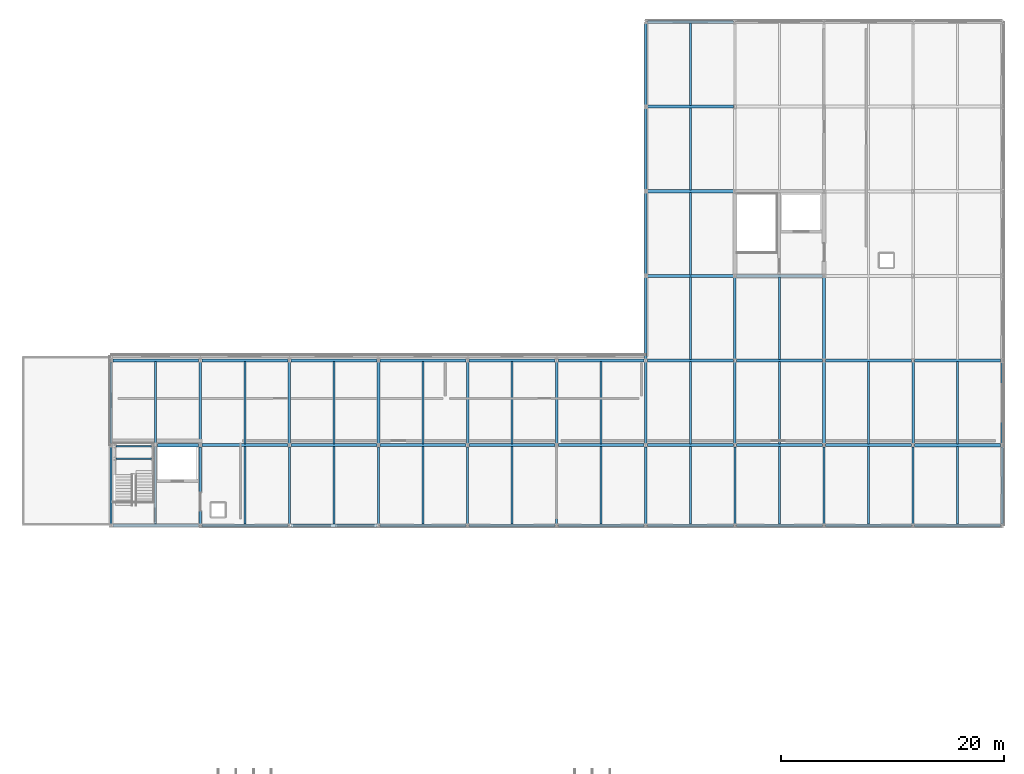
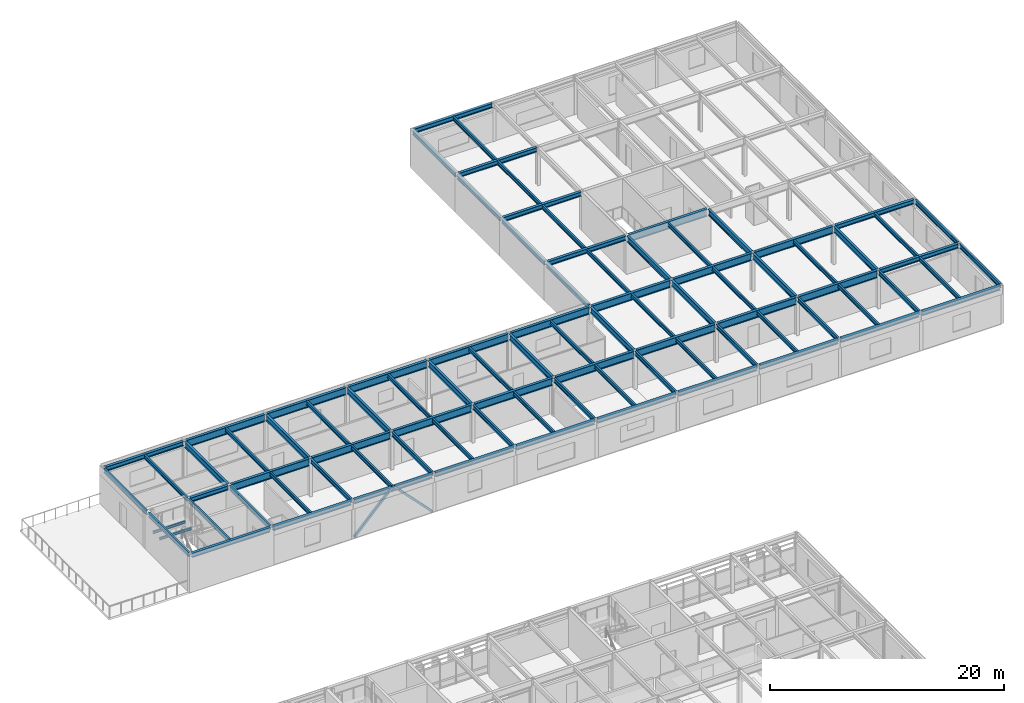
# One storey, part 20 of 33: 90 beams, 2 members.
"""IFC4 building model written with IfcOpenShell, lengths in metres."""

from ifc_helpers import new_model, si_unit, direction, frame, origin, origin_2d, place, context, subcontext, project, spatial, hollow_rectangle, i_section, extrude, material, material_profile, profile_set, type_object, element, save


model = new_model("IFC4")

# Units and contexts
model_context = context("Model", 3, precision=1e-05, world=origin(), true_north=direction((0.0, 1.0)))
body_context = subcontext(model_context, "Body", "Model", "MODEL_VIEW")
ifc_project = project(units=[si_unit("LENGTHUNIT", "METRE"), si_unit("AREAUNIT", "SQUARE_METRE"), si_unit("VOLUMEUNIT", "CUBIC_METRE"), si_unit("PLANEANGLEUNIT", "RADIAN"), si_unit("MASSUNIT", "GRAM", prefix="KILO")], contexts=[model_context])

# Site, building, storey
site_placement = place(None, origin())
site = spatial("IfcSite", under=ifc_project, at=site_placement, CompositionType="ELEMENT")
building_placement = place(site_placement, origin())
building = spatial("IfcBuilding", under=site, at=building_placement, Name="Zulena Civic Courthouse", CompositionType="ELEMENT")
storey_placement = place(building_placement, frame((0.0, 0.0, 33.60009765625)))
storey = spatial("IfcBuildingStorey", under=building, at=storey_placement, Name="L07", CompositionType="ELEMENT", Elevation=33.60009765625)

# Members
ifc_material_1 = material(Name="Steel ASTM A500 Grade C", Category="steel")
ifc_material_profile_1 = material_profile(ifc_material_1, hollow_rectangle(XDim=0.202880859375, YDim=0.202880859375, WallThickness=0.01171875, at=origin_2d()), Name="HSS8X8X1/2")
ifc_profile_set_1 = profile_set([ifc_material_profile_1], Name="Steel ASTM A500 Grade C")
member_type = type_object("IfcMemberType", Name="Brace_HSS8", PredefinedType="BRACE", material=ifc_profile_set_1)
for number, where, z_axis, x_axis, name in (
    (1, (36.14990234375, 46.0, 0.010009765625), (0.693300076266, 0.0, 0.720649015992), (0.0, 1.0, 0.0), "brace:V5:L07:5:0"),
    (2, (43.85009765625, 46.0, 0.010009765625), (-0.693300076266, 0.0, 0.720649015992), (0.0, -1.0, 0.0), "brace:V5:L07:5:1"),
):
    element("IfcMember", number, at=place(storey_placement, frame(where, z_axis=z_axis, x_axis=x_axis)), inside=storey, type_object=member_type, Name=name, PredefinedType="BRACE", context=body_context, shape_type="SweptSolid", body=[
        extrude(hollow_rectangle(XDim=0.202880859375, YDim=0.202880859375, WallThickness=0.01171875, at=origin_2d()), origin(), (0.0, 0.0, 1.0), 5.481201171875),
    ])

# Beams
ifc_material_2 = material(Name="Steel ASTM A992 Grade 50", Category="steel")
ifc_material_profile_2 = material_profile(ifc_material_2, i_section(OverallWidth=0.22998046875, OverallDepth=0.616943359375, WebThickness=0.01318359375, FlangeThickness=0.022216796875, FilletRadius=0.0126953125, at=origin_2d()), Name="W24X94")
ifc_profile_set_2 = profile_set([ifc_material_profile_2], Name="Steel ASTM A992 Grade 50")
beam_type_1 = type_object("IfcBeamType", Name="Girder_W24X94", PredefinedType="BEAM", material=ifc_profile_set_2)
for number, where, z_axis, x_axis, name in (
    (3, (28.0, 53.344970703125, 3.681396484375), (0.0, 1.0, 0.0), (-1.0, 0.0, 0.0), "beam:Y:V5:L07:28.0:53.2_60.8"),
    (4, (36.0, 53.344970703125, 3.681396484375), (0.0, 1.0, 0.0), (-1.0, 0.0, 0.0), "beam:Y:V5:L07:36.0:53.2_60.8"),
    (5, (44.0, 53.344970703125, 3.6865234375), (0.0, 1.0, 0.0), (-1.0, 0.0, 0.0), "beam:Y:V5:L07:44.0:53.2_60.8"),
    (6, (52.0, 53.344970703125, 3.6865234375), (0.0, 1.0, 0.0), (-1.0, 0.0, 0.0), "beam:Y:V5:L07:52.0:53.2_60.8"),
    (7, (60.0, 53.344970703125, 3.6865234375), (0.0, 1.0, 0.0), (-1.0, 0.0, 0.0), "beam:Y:V5:L07:60.0:53.2_60.8"),
    (8, (68.0, 53.344970703125, 3.6865234375), (0.0, 1.0, 0.0), (-1.0, 0.0, 0.0), "beam:Y:V5:L07:68.0:53.2_60.8"),
    (9, (76.0, 53.344970703125, 3.6865234375), (0.0, 1.0, 0.0), (-1.0, 0.0, 0.0), "beam:Y:V5:L07:76.0:53.2_60.8"),
):
    element("IfcBeam", number, at=place(storey_placement, frame(where, z_axis=z_axis, x_axis=x_axis)), inside=storey, type_object=beam_type_1, Name=name, PredefinedType="BEAM", context=body_context, shape_type="SweptSolid", body=[
        extrude(i_section(OverallWidth=0.22998046875, OverallDepth=0.616943359375, WebThickness=0.01318359375, FlangeThickness=0.022216796875, FilletRadius=0.0126953125, at=origin_2d()), origin(), (0.0, 0.0, 1.0), 7.31005859375),
    ])
beam_1_placement = place(storey_placement, frame((76.0, 60.945068359375, 3.6865234375), z_axis=(0.0, 1.0, 0.0), x_axis=(-1.0, 0.0, 0.0)))
element("IfcBeam", 10, at=beam_1_placement, inside=storey, type_object=beam_type_1, Name="beam:Y:V5:L07:76.0:60.8_68.4", PredefinedType="BEAM", context=body_context, shape_type="SweptSolid", body=[
    extrude(i_section(OverallWidth=0.22998046875, OverallDepth=0.616943359375, WebThickness=0.01318359375, FlangeThickness=0.022216796875, FilletRadius=0.0126953125, at=origin_2d()), origin(), (0.0, 0.0, 1.0), 7.309814453125),
])
beam_2_placement = place(storey_placement, frame((84.0, 53.344970703125, 3.6865234375), z_axis=(0.0, 1.0, 0.0), x_axis=(-1.0, 0.0, 0.0)))
element("IfcBeam", 11, at=beam_2_placement, inside=storey, type_object=beam_type_1, Name="beam:Y:V5:L07:84.0:53.2_60.8", PredefinedType="BEAM", context=body_context, shape_type="SweptSolid", body=[
    extrude(i_section(OverallWidth=0.22998046875, OverallDepth=0.616943359375, WebThickness=0.01318359375, FlangeThickness=0.022216796875, FilletRadius=0.0126953125, at=origin_2d()), origin(), (0.0, 0.0, 1.0), 7.31005859375),
])
beam_3_placement = place(storey_placement, frame((84.0, 60.945068359375, 3.6865234375), z_axis=(0.0, 1.0, 0.0), x_axis=(-1.0, 0.0, 0.0)))
element("IfcBeam", 12, at=beam_3_placement, inside=storey, type_object=beam_type_1, Name="beam:Y:V5:L07:84.0:60.8_68.4", PredefinedType="BEAM", context=body_context, shape_type="SweptSolid", body=[
    extrude(i_section(OverallWidth=0.22998046875, OverallDepth=0.616943359375, WebThickness=0.01318359375, FlangeThickness=0.022216796875, FilletRadius=0.0126953125, at=origin_2d()), origin(), (0.0, 0.0, 1.0), 7.309814453125),
])
beam_4_placement = place(storey_placement, frame((92.0, 53.344970703125, 3.6865234375), z_axis=(0.0, 1.0, 0.0), x_axis=(-1.0, 0.0, 0.0)))
element("IfcBeam", 13, at=beam_4_placement, inside=storey, type_object=beam_type_1, Name="beam:Y:V5:L07:92.0:53.2_60.8", PredefinedType="BEAM", context=body_context, shape_type="SweptSolid", body=[
    extrude(i_section(OverallWidth=0.22998046875, OverallDepth=0.616943359375, WebThickness=0.01318359375, FlangeThickness=0.022216796875, FilletRadius=0.0126953125, at=origin_2d()), origin(), (0.0, 0.0, 1.0), 7.31005859375),
])
ifc_material_profile_3 = material_profile(ifc_material_2, i_section(OverallWidth=0.26708984375, OverallDepth=0.761962890625, WebThickness=0.014404296875, FlangeThickness=0.021484375, FilletRadius=0.0166015625, at=origin_2d()), Name="W30X116")
ifc_profile_set_3 = profile_set([ifc_material_profile_3], Name="Steel ASTM A992 Grade 50")
beam_type_2 = type_object("IfcBeamType", Name="Girder_W30X116", PredefinedType="BEAM", material=ifc_profile_set_3)
for number, where, z_axis, x_axis, name in (
    (14, (28.14501953125, 53.199951171875, 3.60888671875), (1.0, 0.0, 0.0), (0.0, 1.0, 0.0), "beam:X:V5:L07:53.2:28.0_36.0"),
    (15, (36.14501953125, 53.199951171875, 3.60888671875), (1.0, 0.0, 0.0), (0.0, 1.0, 0.0), "beam:X:V5:L07:53.2:36.0_44.0"),
    (16, (44.14501953125, 53.199951171875, 3.614013671875), (1.0, 0.0, 0.0), (0.0, 1.0, 0.0), "beam:X:V5:L07:53.2:44.0_52.0"),
    (17, (52.14501953125, 53.199951171875, 3.614013671875), (1.0, 0.0, 0.0), (0.0, 1.0, 0.0), "beam:X:V5:L07:53.2:52.0_60.0"),
    (18, (60.14501953125, 53.199951171875, 3.614013671875), (1.0, 0.0, 0.0), (0.0, 1.0, 0.0), "beam:X:V5:L07:53.2:60.0_68.0"),
    (19, (68.14501953125, 53.199951171875, 3.614013671875), (1.0, 0.0, 0.0), (0.0, 1.0, 0.0), "beam:X:V5:L07:53.2:68.0_76.0"),
    (20, (76.14501953125, 53.199951171875, 3.614013671875), (1.0, 0.0, 0.0), (0.0, 1.0, 0.0), "beam:X:V5:L07:53.2:76.0_84.0"),
    (21, (84.14501953125, 53.199951171875, 3.614013671875), (1.0, 0.0, 0.0), (0.0, 1.0, 0.0), "beam:X:V5:L07:53.2:84.0_92.0"),
    (22, (28.14501953125, 60.800048828125, 3.60888671875), (1.0, 0.0, 0.0), (0.0, 1.0, 0.0), "beam:X:V5:L07:60.8:28.0_36.0"),
    (23, (36.14501953125, 60.800048828125, 3.60888671875), (1.0, 0.0, 0.0), (0.0, 1.0, 0.0), "beam:X:V5:L07:60.8:36.0_44.0"),
    (24, (44.14501953125, 60.800048828125, 3.614013671875), (1.0, 0.0, 0.0), (0.0, 1.0, 0.0), "beam:X:V5:L07:60.8:44.0_52.0"),
    (25, (52.14501953125, 60.800048828125, 3.614013671875), (1.0, 0.0, 0.0), (0.0, 1.0, 0.0), "beam:X:V5:L07:60.8:52.0_60.0"),
    (26, (60.14501953125, 60.800048828125, 3.614013671875), (1.0, 0.0, 0.0), (0.0, 1.0, 0.0), "beam:X:V5:L07:60.8:60.0_68.0"),
    (27, (68.14501953125, 60.800048828125, 3.614013671875), (1.0, 0.0, 0.0), (0.0, 1.0, 0.0), "beam:X:V5:L07:60.8:68.0_76.0"),
    (28, (76.14501953125, 60.800048828125, 3.614013671875), (1.0, 0.0, 0.0), (0.0, 1.0, 0.0), "beam:X:V5:L07:60.8:76.0_84.0"),
    (29, (84.14501953125, 60.800048828125, 3.614013671875), (1.0, 0.0, 0.0), (0.0, 1.0, 0.0), "beam:X:V5:L07:60.8:84.0_92.0"),
    (30, (76.14501953125, 68.39990234375, 3.614013671875), (1.0, 0.0, 0.0), (0.0, 1.0, 0.0), "beam:X:V5:L07:68.4:76.0_84.0"),
):
    element("IfcBeam", number, at=place(storey_placement, frame(where, z_axis=z_axis, x_axis=x_axis)), inside=storey, type_object=beam_type_2, Name=name, PredefinedType="BEAM", context=body_context, shape_type="SweptSolid", body=[
        extrude(i_section(OverallWidth=0.26708984375, OverallDepth=0.761962890625, WebThickness=0.014404296875, FlangeThickness=0.021484375, FilletRadius=0.0166015625, at=origin_2d()), origin(), (0.0, 0.0, 1.0), 7.7099609375),
    ])
ifc_material_profile_4 = material_profile(ifc_material_2, i_section(OverallWidth=0.14599609375, OverallDepth=0.258056640625, WebThickness=0.006103515625, FlangeThickness=0.009033203125, FilletRadius=0.007568359375, at=origin_2d()), Name="W10X22")
ifc_profile_set_4 = profile_set([ifc_material_profile_4], Name="Steel ASTM A992 Grade 50")
beam_type_3 = type_object("IfcBeamType", Name="Joist_W10X22", PredefinedType="JOIST", material=ifc_profile_set_4)
for number, where, z_axis, x_axis, name in (
    (31, (20.419921875, 52.0, 1.69091796875), (1.0, 0.0, 0.0), (0.0, 1.0, 0.0), "beam:lnd:K5A:L07:0"),
    (32, (20.419921875, 53.10009765625, 1.69091796875), (1.0, 0.0, 0.0), (0.0, 1.0, 0.0), "beam:lnd:K5A:L07:1"),
):
    element("IfcBeam", number, at=place(storey_placement, frame(where, z_axis=z_axis, x_axis=x_axis)), inside=storey, type_object=beam_type_3, Name=name, PredefinedType="JOIST", context=body_context, shape_type="SweptSolid", body=[
        extrude(i_section(OverallWidth=0.14599609375, OverallDepth=0.258056640625, WebThickness=0.006103515625, FlangeThickness=0.009033203125, FilletRadius=0.007568359375, at=origin_2d()), origin(), (0.0, 0.0, 1.0), 3.2001953125),
    ])
ifc_material_profile_5 = material_profile(ifc_material_2, i_section(OverallWidth=0.180908203125, OverallDepth=0.4169921875, WebThickness=0.010986328125, FlangeThickness=0.018310546875, FilletRadius=0.01025390625, at=origin_2d()), Name="W16X57")
ifc_profile_set_5 = profile_set([ifc_material_profile_5], Name="Steel ASTM A992 Grade 50")
beam_type_4 = type_object("IfcBeamType", Name="Joist_W16X57", PredefinedType="JOIST", material=ifc_profile_set_5)
beam_5_placement = place(storey_placement, frame((24.0, 46.10498046875, 3.781494140625), z_axis=(0.0, 1.0, 0.0), x_axis=(-1.0, 0.0, 0.0)))
element("IfcBeam", 33, at=beam_5_placement, inside=storey, type_object=beam_type_4, Name="joist:V5:L07:24.00:46.0_53.2", PredefinedType="JOIST", context=body_context, shape_type="SweptSolid", body=[
    extrude(i_section(OverallWidth=0.180908203125, OverallDepth=0.4169921875, WebThickness=0.010986328125, FlangeThickness=0.018310546875, FilletRadius=0.01025390625, at=origin_2d()), origin(), (0.0, 0.0, 1.0), 6.989990234375),
])
beam_6_placement = place(storey_placement, frame((24.0, 53.304931640625, 3.781494140625), z_axis=(0.0, 1.0, 0.0), x_axis=(-1.0, 0.0, 0.0)))
element("IfcBeam", 34, at=beam_6_placement, inside=storey, type_object=beam_type_4, Name="joist:V5:L07:24.00:53.2_60.8", PredefinedType="JOIST", context=body_context, shape_type="SweptSolid", body=[
    extrude(i_section(OverallWidth=0.180908203125, OverallDepth=0.4169921875, WebThickness=0.010986328125, FlangeThickness=0.018310546875, FilletRadius=0.01025390625, at=origin_2d()), origin(), (0.0, 0.0, 1.0), 7.39013671875),
])
beam_7_placement = place(storey_placement, frame((32.0, 46.10498046875, 3.781494140625), z_axis=(0.0, 1.0, 0.0), x_axis=(-1.0, 0.0, 0.0)))
element("IfcBeam", 35, at=beam_7_placement, inside=storey, type_object=beam_type_4, Name="joist:V5:L07:32.00:46.0_53.2", PredefinedType="JOIST", context=body_context, shape_type="SweptSolid", body=[
    extrude(i_section(OverallWidth=0.180908203125, OverallDepth=0.4169921875, WebThickness=0.010986328125, FlangeThickness=0.018310546875, FilletRadius=0.01025390625, at=origin_2d()), origin(), (0.0, 0.0, 1.0), 6.989990234375),
])
beam_8_placement = place(storey_placement, frame((32.0, 53.304931640625, 3.781494140625), z_axis=(0.0, 1.0, 0.0), x_axis=(-1.0, 0.0, 0.0)))
element("IfcBeam", 36, at=beam_8_placement, inside=storey, type_object=beam_type_4, Name="joist:V5:L07:32.00:53.2_60.8", PredefinedType="JOIST", context=body_context, shape_type="SweptSolid", body=[
    extrude(i_section(OverallWidth=0.180908203125, OverallDepth=0.4169921875, WebThickness=0.010986328125, FlangeThickness=0.018310546875, FilletRadius=0.01025390625, at=origin_2d()), origin(), (0.0, 0.0, 1.0), 7.39013671875),
])
beam_9_placement = place(storey_placement, frame((40.0, 46.10498046875, 3.781494140625), z_axis=(0.0, 1.0, 0.0), x_axis=(-1.0, 0.0, 0.0)))
element("IfcBeam", 37, at=beam_9_placement, inside=storey, type_object=beam_type_4, Name="joist:V5:L07:40.00:46.0_53.2", PredefinedType="JOIST", context=body_context, shape_type="SweptSolid", body=[
    extrude(i_section(OverallWidth=0.180908203125, OverallDepth=0.4169921875, WebThickness=0.010986328125, FlangeThickness=0.018310546875, FilletRadius=0.01025390625, at=origin_2d()), origin(), (0.0, 0.0, 1.0), 6.989990234375),
])
beam_10_placement = place(storey_placement, frame((40.0, 53.304931640625, 3.781494140625), z_axis=(0.0, 1.0, 0.0), x_axis=(-1.0, 0.0, 0.0)))
element("IfcBeam", 38, at=beam_10_placement, inside=storey, type_object=beam_type_4, Name="joist:V5:L07:40.00:53.2_60.8", PredefinedType="JOIST", context=body_context, shape_type="SweptSolid", body=[
    extrude(i_section(OverallWidth=0.180908203125, OverallDepth=0.4169921875, WebThickness=0.010986328125, FlangeThickness=0.018310546875, FilletRadius=0.01025390625, at=origin_2d()), origin(), (0.0, 0.0, 1.0), 7.39013671875),
])
beam_11_placement = place(storey_placement, frame((48.0, 46.10498046875, 3.786376953125), z_axis=(0.0, 1.0, 0.0), x_axis=(-1.0, 0.0, 0.0)))
element("IfcBeam", 39, at=beam_11_placement, inside=storey, type_object=beam_type_4, Name="joist:V5:L07:48.00:46.0_53.2", PredefinedType="JOIST", context=body_context, shape_type="SweptSolid", body=[
    extrude(i_section(OverallWidth=0.180908203125, OverallDepth=0.4169921875, WebThickness=0.010986328125, FlangeThickness=0.018310546875, FilletRadius=0.01025390625, at=origin_2d()), origin(), (0.0, 0.0, 1.0), 6.989990234375),
])
beam_12_placement = place(storey_placement, frame((48.0, 53.304931640625, 3.786376953125), z_axis=(0.0, 1.0, 0.0), x_axis=(-1.0, 0.0, 0.0)))
element("IfcBeam", 40, at=beam_12_placement, inside=storey, type_object=beam_type_4, Name="joist:V5:L07:48.00:53.2_60.8", PredefinedType="JOIST", context=body_context, shape_type="SweptSolid", body=[
    extrude(i_section(OverallWidth=0.180908203125, OverallDepth=0.4169921875, WebThickness=0.010986328125, FlangeThickness=0.018310546875, FilletRadius=0.01025390625, at=origin_2d()), origin(), (0.0, 0.0, 1.0), 7.39013671875),
])
beam_13_placement = place(storey_placement, frame((56.0, 46.10498046875, 3.786376953125), z_axis=(0.0, 1.0, 0.0), x_axis=(-1.0, 0.0, 0.0)))
element("IfcBeam", 41, at=beam_13_placement, inside=storey, type_object=beam_type_4, Name="joist:V5:L07:56.00:46.0_53.2", PredefinedType="JOIST", context=body_context, shape_type="SweptSolid", body=[
    extrude(i_section(OverallWidth=0.180908203125, OverallDepth=0.4169921875, WebThickness=0.010986328125, FlangeThickness=0.018310546875, FilletRadius=0.01025390625, at=origin_2d()), origin(), (0.0, 0.0, 1.0), 6.989990234375),
])
beam_14_placement = place(storey_placement, frame((56.0, 53.304931640625, 3.786376953125), z_axis=(0.0, 1.0, 0.0), x_axis=(-1.0, 0.0, 0.0)))
element("IfcBeam", 42, at=beam_14_placement, inside=storey, type_object=beam_type_4, Name="joist:V5:L07:56.00:53.2_60.8", PredefinedType="JOIST", context=body_context, shape_type="SweptSolid", body=[
    extrude(i_section(OverallWidth=0.180908203125, OverallDepth=0.4169921875, WebThickness=0.010986328125, FlangeThickness=0.018310546875, FilletRadius=0.01025390625, at=origin_2d()), origin(), (0.0, 0.0, 1.0), 7.39013671875),
])
beam_15_placement = place(storey_placement, frame((64.0, 46.10498046875, 3.786376953125), z_axis=(0.0, 1.0, 0.0), x_axis=(-1.0, 0.0, 0.0)))
element("IfcBeam", 43, at=beam_15_placement, inside=storey, type_object=beam_type_4, Name="joist:V5:L07:64.00:46.0_53.2", PredefinedType="JOIST", context=body_context, shape_type="SweptSolid", body=[
    extrude(i_section(OverallWidth=0.180908203125, OverallDepth=0.4169921875, WebThickness=0.010986328125, FlangeThickness=0.018310546875, FilletRadius=0.01025390625, at=origin_2d()), origin(), (0.0, 0.0, 1.0), 6.989990234375),
])
beam_16_placement = place(storey_placement, frame((64.0, 53.304931640625, 3.786376953125), z_axis=(0.0, 1.0, 0.0), x_axis=(-1.0, 0.0, 0.0)))
element("IfcBeam", 44, at=beam_16_placement, inside=storey, type_object=beam_type_4, Name="joist:V5:L07:64.00:53.2_60.8", PredefinedType="JOIST", context=body_context, shape_type="SweptSolid", body=[
    extrude(i_section(OverallWidth=0.180908203125, OverallDepth=0.4169921875, WebThickness=0.010986328125, FlangeThickness=0.018310546875, FilletRadius=0.01025390625, at=origin_2d()), origin(), (0.0, 0.0, 1.0), 7.39013671875),
])
beam_17_placement = place(storey_placement, frame((72.0, 46.10498046875, 3.786376953125), z_axis=(0.0, 1.0, 0.0), x_axis=(-1.0, 0.0, 0.0)))
element("IfcBeam", 45, at=beam_17_placement, inside=storey, type_object=beam_type_4, Name="joist:V5:L07:72.00:46.0_53.2", PredefinedType="JOIST", context=body_context, shape_type="SweptSolid", body=[
    extrude(i_section(OverallWidth=0.180908203125, OverallDepth=0.4169921875, WebThickness=0.010986328125, FlangeThickness=0.018310546875, FilletRadius=0.01025390625, at=origin_2d()), origin(), (0.0, 0.0, 1.0), 6.989990234375),
])
beam_18_placement = place(storey_placement, frame((72.0, 53.304931640625, 3.786376953125), z_axis=(0.0, 1.0, 0.0), x_axis=(-1.0, 0.0, 0.0)))
element("IfcBeam", 46, at=beam_18_placement, inside=storey, type_object=beam_type_4, Name="joist:V5:L07:72.00:53.2_60.8", PredefinedType="JOIST", context=body_context, shape_type="SweptSolid", body=[
    extrude(i_section(OverallWidth=0.180908203125, OverallDepth=0.4169921875, WebThickness=0.010986328125, FlangeThickness=0.018310546875, FilletRadius=0.01025390625, at=origin_2d()), origin(), (0.0, 0.0, 1.0), 7.39013671875),
])
beam_19_placement = place(storey_placement, frame((72.0, 60.905029296875, 3.786376953125), z_axis=(0.0, 1.0, 0.0), x_axis=(-1.0, 0.0, 0.0)))
element("IfcBeam", 47, at=beam_19_placement, inside=storey, type_object=beam_type_4, Name="joist:V5:L07:72.00:60.8_68.4", PredefinedType="JOIST", context=body_context, shape_type="SweptSolid", body=[
    extrude(i_section(OverallWidth=0.180908203125, OverallDepth=0.4169921875, WebThickness=0.010986328125, FlangeThickness=0.018310546875, FilletRadius=0.01025390625, at=origin_2d()), origin(), (0.0, 0.0, 1.0), 7.389892578125),
])
for number, where, z_axis, x_axis, name in (
    (48, (72.0, 68.5048828125, 3.786376953125), (0.0, 1.0, 0.0), (-1.0, 0.0, 0.0), "joist:V5:L07:72.00:68.4_76.0"),
    (49, (72.0, 76.10498046875, 3.786376953125), (0.0, 1.0, 0.0), (-1.0, 0.0, 0.0), "joist:V5:L07:72.00:76.0_83.6"),
):
    element("IfcBeam", number, at=place(storey_placement, frame(where, z_axis=z_axis, x_axis=x_axis)), inside=storey, type_object=beam_type_4, Name=name, PredefinedType="JOIST", context=body_context, shape_type="SweptSolid", body=[
        extrude(i_section(OverallWidth=0.180908203125, OverallDepth=0.4169921875, WebThickness=0.010986328125, FlangeThickness=0.018310546875, FilletRadius=0.01025390625, at=origin_2d()), origin(), (0.0, 0.0, 1.0), 7.39013671875),
    ])
beam_20_placement = place(storey_placement, frame((72.0, 83.705078125, 3.786376953125), z_axis=(0.0, 1.0, 0.0), x_axis=(-1.0, 0.0, 0.0)))
element("IfcBeam", 50, at=beam_20_placement, inside=storey, type_object=beam_type_4, Name="joist:V5:L07:72.00:83.6_91.2", PredefinedType="JOIST", context=body_context, shape_type="SweptSolid", body=[
    extrude(i_section(OverallWidth=0.180908203125, OverallDepth=0.4169921875, WebThickness=0.010986328125, FlangeThickness=0.018310546875, FilletRadius=0.01025390625, at=origin_2d()), origin(), (0.0, 0.0, 1.0), 7.389892578125),
])
beam_21_placement = place(storey_placement, frame((80.0, 46.10498046875, 3.786376953125), z_axis=(0.0, 1.0, 0.0), x_axis=(-1.0, 0.0, 0.0)))
element("IfcBeam", 51, at=beam_21_placement, inside=storey, type_object=beam_type_4, Name="joist:V5:L07:80.00:46.0_53.2", PredefinedType="JOIST", context=body_context, shape_type="SweptSolid", body=[
    extrude(i_section(OverallWidth=0.180908203125, OverallDepth=0.4169921875, WebThickness=0.010986328125, FlangeThickness=0.018310546875, FilletRadius=0.01025390625, at=origin_2d()), origin(), (0.0, 0.0, 1.0), 6.989990234375),
])
beam_22_placement = place(storey_placement, frame((80.0, 53.304931640625, 3.786376953125), z_axis=(0.0, 1.0, 0.0), x_axis=(-1.0, 0.0, 0.0)))
element("IfcBeam", 52, at=beam_22_placement, inside=storey, type_object=beam_type_4, Name="joist:V5:L07:80.00:53.2_60.8", PredefinedType="JOIST", context=body_context, shape_type="SweptSolid", body=[
    extrude(i_section(OverallWidth=0.180908203125, OverallDepth=0.4169921875, WebThickness=0.010986328125, FlangeThickness=0.018310546875, FilletRadius=0.01025390625, at=origin_2d()), origin(), (0.0, 0.0, 1.0), 7.39013671875),
])
beam_23_placement = place(storey_placement, frame((80.0, 60.905029296875, 3.786376953125), z_axis=(0.0, 1.0, 0.0), x_axis=(-1.0, 0.0, 0.0)))
element("IfcBeam", 53, at=beam_23_placement, inside=storey, type_object=beam_type_4, Name="joist:V5:L07:80.00:60.8_68.4", PredefinedType="JOIST", context=body_context, shape_type="SweptSolid", body=[
    extrude(i_section(OverallWidth=0.180908203125, OverallDepth=0.4169921875, WebThickness=0.010986328125, FlangeThickness=0.018310546875, FilletRadius=0.01025390625, at=origin_2d()), origin(), (0.0, 0.0, 1.0), 7.389892578125),
])
beam_24_placement = place(storey_placement, frame((88.0, 46.10498046875, 3.786376953125), z_axis=(0.0, 1.0, 0.0), x_axis=(-1.0, 0.0, 0.0)))
element("IfcBeam", 54, at=beam_24_placement, inside=storey, type_object=beam_type_4, Name="joist:V5:L07:88.00:46.0_53.2", PredefinedType="JOIST", context=body_context, shape_type="SweptSolid", body=[
    extrude(i_section(OverallWidth=0.180908203125, OverallDepth=0.4169921875, WebThickness=0.010986328125, FlangeThickness=0.018310546875, FilletRadius=0.01025390625, at=origin_2d()), origin(), (0.0, 0.0, 1.0), 6.989990234375),
])
beam_25_placement = place(storey_placement, frame((88.0, 53.304931640625, 3.786376953125), z_axis=(0.0, 1.0, 0.0), x_axis=(-1.0, 0.0, 0.0)))
element("IfcBeam", 55, at=beam_25_placement, inside=storey, type_object=beam_type_4, Name="joist:V5:L07:88.00:53.2_60.8", PredefinedType="JOIST", context=body_context, shape_type="SweptSolid", body=[
    extrude(i_section(OverallWidth=0.180908203125, OverallDepth=0.4169921875, WebThickness=0.010986328125, FlangeThickness=0.018310546875, FilletRadius=0.01025390625, at=origin_2d()), origin(), (0.0, 0.0, 1.0), 7.39013671875),
])
beam_26_placement = place(storey_placement, frame((96.0, 46.10498046875, 3.786376953125), z_axis=(0.0, 1.0, 0.0), x_axis=(-1.0, 0.0, 0.0)))
element("IfcBeam", 56, at=beam_26_placement, inside=storey, type_object=beam_type_4, Name="joist:V5:L07:96.00:46.0_53.2", PredefinedType="JOIST", context=body_context, shape_type="SweptSolid", body=[
    extrude(i_section(OverallWidth=0.180908203125, OverallDepth=0.4169921875, WebThickness=0.010986328125, FlangeThickness=0.018310546875, FilletRadius=0.01025390625, at=origin_2d()), origin(), (0.0, 0.0, 1.0), 6.989990234375),
])
beam_27_placement = place(storey_placement, frame((96.0, 53.304931640625, 3.786376953125), z_axis=(0.0, 1.0, 0.0), x_axis=(-1.0, 0.0, 0.0)))
element("IfcBeam", 57, at=beam_27_placement, inside=storey, type_object=beam_type_4, Name="joist:V5:L07:96.00:53.2_60.8", PredefinedType="JOIST", context=body_context, shape_type="SweptSolid", body=[
    extrude(i_section(OverallWidth=0.180908203125, OverallDepth=0.4169921875, WebThickness=0.010986328125, FlangeThickness=0.018310546875, FilletRadius=0.01025390625, at=origin_2d()), origin(), (0.0, 0.0, 1.0), 7.39013671875),
])
ifc_material_profile_6 = material_profile(ifc_material_2, i_section(OverallWidth=0.19091796875, OverallDepth=0.4599609375, WebThickness=0.010009765625, FlangeThickness=0.01611328125, FilletRadius=0.01025390625, at=origin_2d()), Name="W18X55")
ifc_profile_set_6 = profile_set([ifc_material_profile_6], Name="Steel ASTM A992 Grade 50")
beam_type_5 = type_object("IfcBeamType", Name="Spandrel_W18X55", PredefinedType="SPANDREL", material=ifc_profile_set_6)
beam_28_placement = place(storey_placement, frame((20.0, 46.14501953125, 3.760009765625), z_axis=(0.0, 1.0, 0.0), x_axis=(-1.0, 0.0, 0.0)))
element("IfcBeam", 58, at=beam_28_placement, inside=storey, type_object=beam_type_5, Name="beam:Y:V5:L07:20.0:46.0_53.2", PredefinedType="SPANDREL", context=body_context, shape_type="SweptSolid", body=[
    extrude(i_section(OverallWidth=0.19091796875, OverallDepth=0.4599609375, WebThickness=0.010009765625, FlangeThickness=0.01611328125, FilletRadius=0.01025390625, at=origin_2d()), origin(), (0.0, 0.0, 1.0), 6.909912109375),
])
beam_29_placement = place(storey_placement, frame((20.0, 53.344970703125, 3.760009765625), z_axis=(0.0, 1.0, 0.0), x_axis=(-1.0, 0.0, 0.0)))
element("IfcBeam", 59, at=beam_29_placement, inside=storey, type_object=beam_type_5, Name="beam:Y:V5:L07:20.0:53.2_60.8", PredefinedType="SPANDREL", context=body_context, shape_type="SweptSolid", body=[
    extrude(i_section(OverallWidth=0.19091796875, OverallDepth=0.4599609375, WebThickness=0.010009765625, FlangeThickness=0.01611328125, FilletRadius=0.01025390625, at=origin_2d()), origin(), (0.0, 0.0, 1.0), 7.31005859375),
])
for number, where, z_axis, x_axis, name in (
    (60, (28.0, 46.14501953125, 3.760009765625), (0.0, 1.0, 0.0), (-1.0, 0.0, 0.0), "beam:Y:V5:L07:28.0:46.0_53.2"),
    (61, (36.0, 46.14501953125, 3.760009765625), (0.0, 1.0, 0.0), (-1.0, 0.0, 0.0), "beam:Y:V5:L07:36.0:46.0_53.2"),
    (62, (44.0, 46.14501953125, 3.764892578125), (0.0, 1.0, 0.0), (-1.0, 0.0, 0.0), "beam:Y:V5:L07:44.0:46.0_53.2"),
    (63, (52.0, 46.14501953125, 3.764892578125), (0.0, 1.0, 0.0), (-1.0, 0.0, 0.0), "beam:Y:V5:L07:52.0:46.0_53.2"),
    (64, (60.0, 46.14501953125, 3.764892578125), (0.0, 1.0, 0.0), (-1.0, 0.0, 0.0), "beam:Y:V5:L07:60.0:46.0_53.2"),
    (65, (68.0, 46.14501953125, 3.764892578125), (0.0, 1.0, 0.0), (-1.0, 0.0, 0.0), "beam:Y:V5:L07:68.0:46.0_53.2"),
):
    element("IfcBeam", number, at=place(storey_placement, frame(where, z_axis=z_axis, x_axis=x_axis)), inside=storey, type_object=beam_type_5, Name=name, PredefinedType="SPANDREL", context=body_context, shape_type="SweptSolid", body=[
        extrude(i_section(OverallWidth=0.19091796875, OverallDepth=0.4599609375, WebThickness=0.010009765625, FlangeThickness=0.01611328125, FilletRadius=0.01025390625, at=origin_2d()), origin(), (0.0, 0.0, 1.0), 6.909912109375),
    ])
beam_30_placement = place(storey_placement, frame((68.0, 60.945068359375, 3.764892578125), z_axis=(0.0, 1.0, 0.0), x_axis=(-1.0, 0.0, 0.0)))
element("IfcBeam", 66, at=beam_30_placement, inside=storey, type_object=beam_type_5, Name="beam:Y:V5:L07:68.0:60.8_68.4", PredefinedType="SPANDREL", context=body_context, shape_type="SweptSolid", body=[
    extrude(i_section(OverallWidth=0.19091796875, OverallDepth=0.4599609375, WebThickness=0.010009765625, FlangeThickness=0.01611328125, FilletRadius=0.01025390625, at=origin_2d()), origin(), (0.0, 0.0, 1.0), 7.309814453125),
])
for number, where, z_axis, x_axis, name in (
    (67, (68.0, 68.544921875, 3.764892578125), (0.0, 1.0, 0.0), (-1.0, 0.0, 0.0), "beam:Y:V5:L07:68.0:68.4_76.0"),
    (68, (68.0, 76.14501953125, 3.764892578125), (0.0, 1.0, 0.0), (-1.0, 0.0, 0.0), "beam:Y:V5:L07:68.0:76.0_83.6"),
):
    element("IfcBeam", number, at=place(storey_placement, frame(where, z_axis=z_axis, x_axis=x_axis)), inside=storey, type_object=beam_type_5, Name=name, PredefinedType="SPANDREL", context=body_context, shape_type="SweptSolid", body=[
        extrude(i_section(OverallWidth=0.19091796875, OverallDepth=0.4599609375, WebThickness=0.010009765625, FlangeThickness=0.01611328125, FilletRadius=0.01025390625, at=origin_2d()), origin(), (0.0, 0.0, 1.0), 7.31005859375),
    ])
beam_31_placement = place(storey_placement, frame((68.0, 83.7451171875, 3.764892578125), z_axis=(0.0, 1.0, 0.0), x_axis=(-1.0, 0.0, 0.0)))
element("IfcBeam", 69, at=beam_31_placement, inside=storey, type_object=beam_type_5, Name="beam:Y:V5:L07:68.0:83.6_91.2", PredefinedType="SPANDREL", context=body_context, shape_type="SweptSolid", body=[
    extrude(i_section(OverallWidth=0.19091796875, OverallDepth=0.4599609375, WebThickness=0.010009765625, FlangeThickness=0.01611328125, FilletRadius=0.01025390625, at=origin_2d()), origin(), (0.0, 0.0, 1.0), 7.309814453125),
])
for number, where, z_axis, x_axis, name in (
    (70, (76.0, 46.14501953125, 3.764892578125), (0.0, 1.0, 0.0), (-1.0, 0.0, 0.0), "beam:Y:V5:L07:76.0:46.0_53.2"),
    (71, (84.0, 46.14501953125, 3.764892578125), (0.0, 1.0, 0.0), (-1.0, 0.0, 0.0), "beam:Y:V5:L07:84.0:46.0_53.2"),
    (72, (92.0, 46.14501953125, 3.764892578125), (0.0, 1.0, 0.0), (-1.0, 0.0, 0.0), "beam:Y:V5:L07:92.0:46.0_53.2"),
    (73, (100.0, 46.14501953125, 3.764892578125), (0.0, 1.0, 0.0), (-1.0, 0.0, 0.0), "beam:Y:V5:L07:100.0:46.0_53.2"),
):
    element("IfcBeam", number, at=place(storey_placement, frame(where, z_axis=z_axis, x_axis=x_axis)), inside=storey, type_object=beam_type_5, Name=name, PredefinedType="SPANDREL", context=body_context, shape_type="SweptSolid", body=[
        extrude(i_section(OverallWidth=0.19091796875, OverallDepth=0.4599609375, WebThickness=0.010009765625, FlangeThickness=0.01611328125, FilletRadius=0.01025390625, at=origin_2d()), origin(), (0.0, 0.0, 1.0), 6.909912109375),
    ])
beam_32_placement = place(storey_placement, frame((100.0, 53.344970703125, 3.764892578125), z_axis=(0.0, 1.0, 0.0), x_axis=(-1.0, 0.0, 0.0)))
element("IfcBeam", 74, at=beam_32_placement, inside=storey, type_object=beam_type_5, Name="beam:Y:V5:L07:100.0:53.2_60.8", PredefinedType="SPANDREL", context=body_context, shape_type="SweptSolid", body=[
    extrude(i_section(OverallWidth=0.19091796875, OverallDepth=0.4599609375, WebThickness=0.010009765625, FlangeThickness=0.01611328125, FilletRadius=0.01025390625, at=origin_2d()), origin(), (0.0, 0.0, 1.0), 7.31005859375),
])
ifc_material_profile_7 = material_profile(ifc_material_2, i_section(OverallWidth=0.280029296875, OverallDepth=0.462890625, WebThickness=0.0107421875, FlangeThickness=0.017333984375, FilletRadius=0.01025390625, at=origin_2d()), Name="W18X76")
ifc_profile_set_7 = profile_set([ifc_material_profile_7], Name="Steel ASTM A992 Grade 50")
beam_type_6 = type_object("IfcBeamType", Name="Spandrel_W18X76", PredefinedType="SPANDREL", material=ifc_profile_set_7)
for number, where, z_axis, x_axis, name in (
    (75, (20.14501953125, 46.0, 3.75830078125), (1.0, 0.0, 0.0), (0.0, 1.0, 0.0), "beam:X:V5:L07:46.0:20.0_28.0"),
    (76, (28.14501953125, 46.0, 3.75830078125), (1.0, 0.0, 0.0), (0.0, 1.0, 0.0), "beam:X:V5:L07:46.0:28.0_36.0"),
    (77, (36.14501953125, 46.0, 3.75830078125), (1.0, 0.0, 0.0), (0.0, 1.0, 0.0), "beam:X:V5:L07:46.0:36.0_44.0"),
    (78, (44.14501953125, 46.0, 3.763427734375), (1.0, 0.0, 0.0), (0.0, 1.0, 0.0), "beam:X:V5:L07:46.0:44.0_52.0"),
    (79, (52.14501953125, 46.0, 3.763427734375), (1.0, 0.0, 0.0), (0.0, 1.0, 0.0), "beam:X:V5:L07:46.0:52.0_60.0"),
    (80, (60.14501953125, 46.0, 3.763427734375), (1.0, 0.0, 0.0), (0.0, 1.0, 0.0), "beam:X:V5:L07:46.0:60.0_68.0"),
    (81, (68.14501953125, 46.0, 3.763427734375), (1.0, 0.0, 0.0), (0.0, 1.0, 0.0), "beam:X:V5:L07:46.0:68.0_76.0"),
    (82, (76.14501953125, 46.0, 3.763427734375), (1.0, 0.0, 0.0), (0.0, 1.0, 0.0), "beam:X:V5:L07:46.0:76.0_84.0"),
    (83, (84.14501953125, 46.0, 3.763427734375), (1.0, 0.0, 0.0), (0.0, 1.0, 0.0), "beam:X:V5:L07:46.0:84.0_92.0"),
    (84, (92.14501953125, 46.0, 3.763427734375), (1.0, 0.0, 0.0), (0.0, 1.0, 0.0), "beam:X:V5:L07:46.0:92.0_100.0"),
):
    element("IfcBeam", number, at=place(storey_placement, frame(where, z_axis=z_axis, x_axis=x_axis)), inside=storey, type_object=beam_type_6, Name=name, PredefinedType="SPANDREL", context=body_context, shape_type="SweptSolid", body=[
        extrude(i_section(OverallWidth=0.280029296875, OverallDepth=0.462890625, WebThickness=0.0107421875, FlangeThickness=0.017333984375, FilletRadius=0.01025390625, at=origin_2d()), origin(), (0.0, 0.0, 1.0), 7.7099609375),
    ])
beam_33_placement = place(storey_placement, frame((24.14501953125, 53.199951171875, 3.75830078125), z_axis=(1.0, 0.0, 0.0), x_axis=(0.0, 1.0, 0.0)))
element("IfcBeam", 85, at=beam_33_placement, inside=storey, type_object=beam_type_6, Name="beam:X:V5:L07:53.2:24.0_28.0", PredefinedType="SPANDREL", context=body_context, shape_type="SweptSolid", body=[
    extrude(i_section(OverallWidth=0.280029296875, OverallDepth=0.462890625, WebThickness=0.0107421875, FlangeThickness=0.017333984375, FilletRadius=0.01025390625, at=origin_2d()), origin(), (0.0, 0.0, 1.0), 3.7099609375),
])
for number, where, z_axis, x_axis, name in (
    (86, (92.14501953125, 53.199951171875, 3.763427734375), (1.0, 0.0, 0.0), (0.0, 1.0, 0.0), "beam:X:V5:L07:53.2:92.0_100.0"),
    (87, (20.14501953125, 60.800048828125, 3.75830078125), (1.0, 0.0, 0.0), (0.0, 1.0, 0.0), "beam:X:V5:L07:60.8:20.0_28.0"),
    (88, (92.14501953125, 60.800048828125, 3.763427734375), (1.0, 0.0, 0.0), (0.0, 1.0, 0.0), "beam:X:V5:L07:60.8:92.0_100.0"),
    (89, (68.14501953125, 68.39990234375, 3.763427734375), (1.0, 0.0, 0.0), (0.0, 1.0, 0.0), "beam:X:V5:L07:68.4:68.0_76.0"),
    (90, (68.14501953125, 76.0, 3.763427734375), (1.0, 0.0, 0.0), (0.0, 1.0, 0.0), "beam:X:V5:L07:76.0:68.0_76.0"),
    (91, (68.14501953125, 83.60009765625, 3.763427734375), (1.0, 0.0, 0.0), (0.0, 1.0, 0.0), "beam:X:V5:L07:83.6:68.0_76.0"),
    (92, (68.14501953125, 91.199951171875, 3.763427734375), (1.0, 0.0, 0.0), (0.0, 1.0, 0.0), "beam:X:V5:L07:91.2:68.0_76.0"),
):
    element("IfcBeam", number, at=place(storey_placement, frame(where, z_axis=z_axis, x_axis=x_axis)), inside=storey, type_object=beam_type_6, Name=name, PredefinedType="SPANDREL", context=body_context, shape_type="SweptSolid", body=[
        extrude(i_section(OverallWidth=0.280029296875, OverallDepth=0.462890625, WebThickness=0.0107421875, FlangeThickness=0.017333984375, FilletRadius=0.01025390625, at=origin_2d()), origin(), (0.0, 0.0, 1.0), 7.7099609375),
    ])

save(model, "model.ifc")
